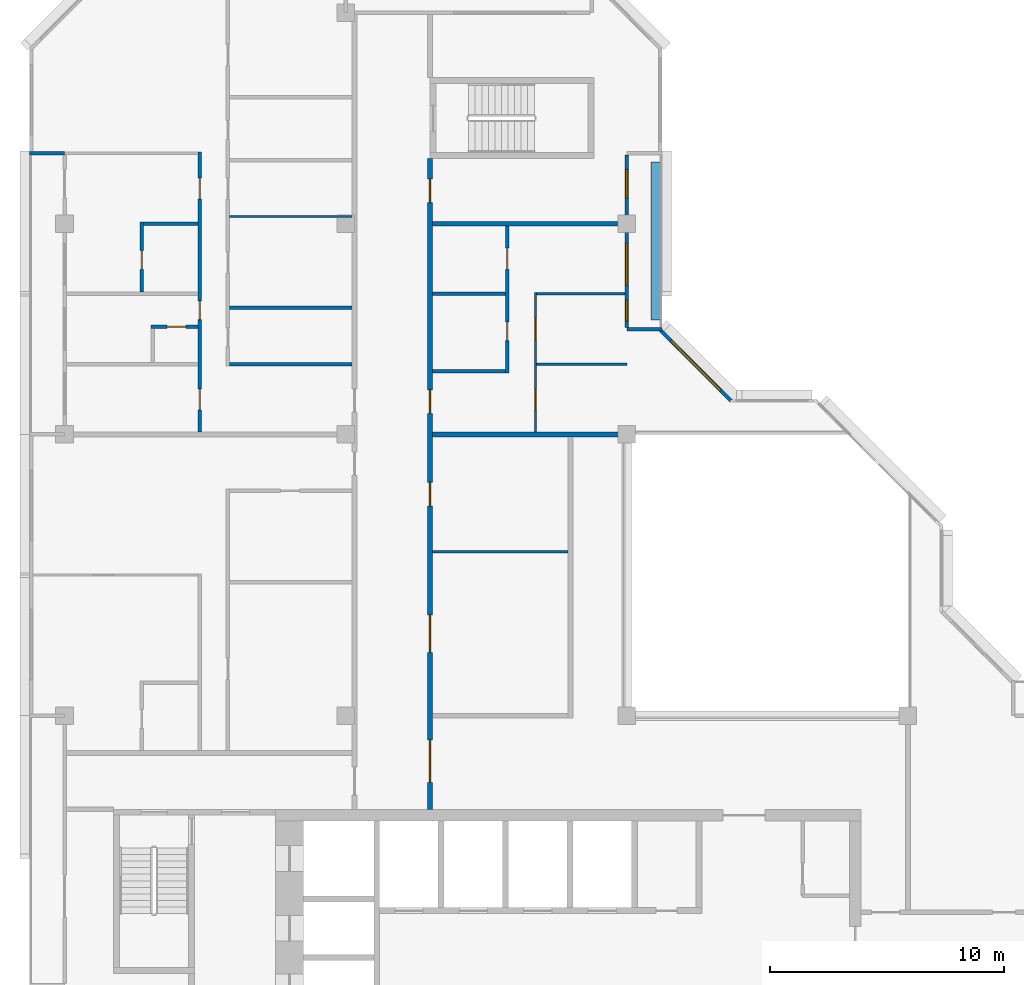
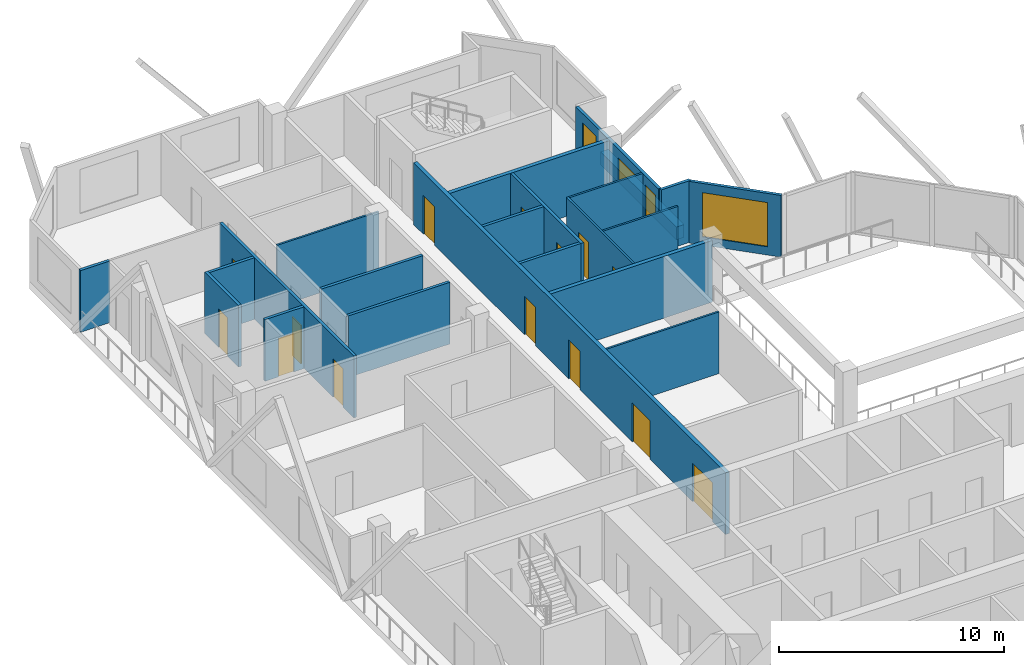
# One storey, part 8 of 12: 22 walls, 14 doors, 4 windows, 18 openings.
"""IFC4 building model written with IfcOpenShell, lengths in metres."""

from ifc_helpers import new_model, si_unit, direction, frame, frame_2d, origin, place, context, subcontext, project, spatial, rectangle, extrude, material, layer, layer_set, type_object, element, fill, save


model = new_model("IFC4")

# Units and contexts
model_context = context("Model", 3, precision=1e-05, world=origin(), true_north=direction((0.0, 1.0)))
body_context = subcontext(model_context, "Body", "Model", "MODEL_VIEW")
ifc_project = project(units=[si_unit("LENGTHUNIT", "METRE"), si_unit("AREAUNIT", "SQUARE_METRE"), si_unit("VOLUMEUNIT", "CUBIC_METRE"), si_unit("PLANEANGLEUNIT", "RADIAN"), si_unit("MASSUNIT", "GRAM", prefix="KILO")], contexts=[model_context])

# Site, building, storey
site_placement = place(None, origin())
site = spatial("IfcSite", under=ifc_project, at=site_placement, CompositionType="ELEMENT")
building_placement = place(site_placement, origin())
building = spatial("IfcBuilding", under=site, at=building_placement, Name="Chenar Terraces", CompositionType="ELEMENT")
storey_placement = place(building_placement, frame((0.0, 0.0, 346.39990234375)))
storey = spatial("IfcBuildingStorey", under=building, at=storey_placement, Name="L80", CompositionType="ELEMENT", Elevation=346.39990234375)

# Wall, openings, doors
ifc_material_1 = material(Name="Gypsum board on steel studs with fire boards", Category="steel")
ifc_layer_1 = layer(ifc_material_1, 0.199951171875)
ifc_layer_set_1 = layer_set([ifc_layer_1], Name="Gypsum board on steel studs with fire boards")
wall_type_1 = type_object("IfcWallType", Name="Corridor wall 200", PredefinedType="PARTITIONING", material=ifc_layer_set_1)
wall_1_placement = place(storey_placement, frame((15.60009765625, 20.0, 0.0), z_axis=(0.0, 0.0, 1.0), x_axis=(0.0, 1.0, 0.0)))
wall_1 = element("IfcWall", 1, at=wall_1_placement, inside=storey, type_object=wall_type_1, Name="Partition L80-031", PredefinedType="PARTITIONING", context=body_context, shape_type="SweptSolid", body=[
    extrude(rectangle(XDim=27.77490234375, YDim=0.199951171875, at=frame_2d((13.887451171875, 0.0))), origin(), (0.0, 0.0, 1.0), 3.35009765625),
])
opening_1_placement = place(wall_1_placement, frame((6.699951171875, 0.0, 0.0)))
opening_1 = element("IfcOpeningElement", 2, at=opening_1_placement, cuts=wall_1, Name="Opening DL80-1", PredefinedType="OPENING", context=body_context, shape_type="SweptSolid", body=[
    extrude(rectangle(XDim=1.60009765625, YDim=2.10009765625, at=frame_2d((0.800048828125, 1.050048828125))), frame((0.0, 0.10986328125, 0.0), z_axis=(0.0, -1.0, 0.0), x_axis=(1.0, 0.0, 0.0)), (0.0, 0.0, 1.0), 0.219970703125),
])
opening_2_placement = place(wall_1_placement, frame((12.949951171875, 0.0, 0.0)))
opening_2 = element("IfcOpeningElement", 3, at=opening_2_placement, cuts=wall_1, Name="Opening DL80-2", PredefinedType="OPENING", context=body_context, shape_type="SweptSolid", body=[
    extrude(rectangle(XDim=1.0, YDim=2.10009765625, at=frame_2d((0.5, 1.050048828125))), frame((0.0, 0.10986328125, 0.0), z_axis=(0.0, -1.0, 0.0), x_axis=(1.0, 0.0, 0.0)), (0.0, 0.0, 1.0), 0.219970703125),
])
opening_3_placement = place(wall_1_placement, frame((16.89990234375, 0.0, 0.0)))
opening_3 = element("IfcOpeningElement", 4, at=opening_3_placement, cuts=wall_1, Name="Opening DL80-8", PredefinedType="OPENING", context=body_context, shape_type="SweptSolid", body=[
    extrude(rectangle(XDim=1.0, YDim=2.10009765625, at=frame_2d((0.5, 1.050048828125))), frame((0.0, 0.10986328125, 0.0), z_axis=(0.0, -1.0, 0.0), x_axis=(1.0, 0.0, 0.0)), (0.0, 0.0, 1.0), 0.219970703125),
])
opening_4_placement = place(wall_1_placement, frame((1.14990234375, 0.0, 0.0)))
opening_4 = element("IfcOpeningElement", 5, at=opening_4_placement, cuts=wall_1, Name="Opening DL80-21", PredefinedType="OPENING", context=body_context, shape_type="SweptSolid", body=[
    extrude(rectangle(XDim=1.800048828125, YDim=2.10009765625, at=frame_2d((0.89990234375, 1.050048828125))), frame((0.0, 0.10986328125, 0.0), z_axis=(0.0, -1.0, 0.0), x_axis=(1.0, 0.0, 0.0)), (0.0, 0.0, 1.0), 0.219970703125),
])
opening_5_placement = place(wall_1_placement, frame((25.89990234375, 0.0, 0.0)))
opening_5 = element("IfcOpeningElement", 6, at=opening_5_placement, cuts=wall_1, Name="Opening DL80-24", PredefinedType="OPENING", context=body_context, shape_type="SweptSolid", body=[
    extrude(rectangle(XDim=1.0, YDim=2.10009765625, at=frame_2d((0.5, 1.050048828125))), frame((0.0, 0.10986328125, 0.0), z_axis=(0.0, -1.0, 0.0), x_axis=(1.0, 0.0, 0.0)), (0.0, 0.0, 1.0), 0.219970703125),
])
ifc_material_2 = material(Name="Steel-framed fire-resisting door leaf", Category="steel")
door_type_1 = type_object("IfcDoorType", Name="Fire door FD60 1000 x 2100", OperationType="SINGLE_SWING_LEFT", PredefinedType="DOOR", material=ifc_material_2)
door_1_placement = place(opening_2_placement, frame((1.0, 0.0, 0.0), z_axis=(0.0, 0.0, 1.0), x_axis=(-1.0, 0.0, 0.0)))
door_1 = element("IfcDoor", 7, at=door_1_placement, inside=storey, type_object=door_type_1, Name="Door DL80-2", OperationType="SINGLE_SWING_LEFT", OverallHeight=2.10009765625, OverallWidth=1.0, PredefinedType="DOOR", context=body_context, shape_type="SweptSolid", body=[
    extrude(rectangle(XDim=1.0, YDim=2.10009765625, at=frame_2d((0.5, 1.050048828125))), frame((0.0, 0.02490234375, 0.0), z_axis=(0.0, -1.0, 0.0), x_axis=(1.0, 0.0, 0.0)), (0.0, 0.0, 1.0), 0.050048828125),
])
fill(opening_2, door_1)
door_2_placement = place(opening_3_placement, frame((1.0, 0.0, 0.0), z_axis=(0.0, 0.0, 1.0), x_axis=(-1.0, 0.0, 0.0)))
door_2 = element("IfcDoor", 8, at=door_2_placement, inside=storey, type_object=door_type_1, Name="Door DL80-8", OperationType="SINGLE_SWING_LEFT", OverallHeight=2.10009765625, OverallWidth=1.0, PredefinedType="DOOR", context=body_context, shape_type="SweptSolid", body=[
    extrude(rectangle(XDim=1.0, YDim=2.10009765625, at=frame_2d((0.5, 1.050048828125))), frame((0.0, 0.02490234375, 0.0), z_axis=(0.0, -1.0, 0.0), x_axis=(1.0, 0.0, 0.0)), (0.0, 0.0, 1.0), 0.050048828125),
])
fill(opening_3, door_2)
door_3_placement = place(opening_5_placement, frame((1.0, 0.0, 0.0), z_axis=(0.0, 0.0, 1.0), x_axis=(-1.0, 0.0, 0.0)))
door_3 = element("IfcDoor", 9, at=door_3_placement, inside=storey, type_object=door_type_1, Name="Door DL80-24", OperationType="SINGLE_SWING_RIGHT", OverallHeight=2.10009765625, OverallWidth=1.0, PredefinedType="DOOR", context=body_context, shape_type="SweptSolid", body=[
    extrude(rectangle(XDim=1.0, YDim=2.10009765625, at=frame_2d((0.5, 1.050048828125))), frame((0.0, 0.02490234375, 0.0), z_axis=(0.0, -1.0, 0.0), x_axis=(1.0, 0.0, 0.0)), (0.0, 0.0, 1.0), 0.050048828125),
])
fill(opening_5, door_3)
ifc_material_3 = material(Name="Steel-framed fire-resisting door leaf", Category="steel")
door_type_2 = type_object("IfcDoorType", Name="Fire double door FD60 1600 x 2100", OperationType="DOUBLE_DOOR_SINGLE_SWING", PredefinedType="DOOR", material=ifc_material_3)
door_4_placement = place(opening_1_placement, frame((1.60009765625, 0.0, 0.0), z_axis=(0.0, 0.0, 1.0), x_axis=(-1.0, 0.0, 0.0)))
door_4 = element("IfcDoor", 10, at=door_4_placement, inside=storey, type_object=door_type_2, Name="Door DL80-1", OperationType="DOUBLE_DOOR_SINGLE_SWING", OverallHeight=2.10009765625, OverallWidth=1.60009765625, PredefinedType="DOOR", context=body_context, shape_type="SweptSolid", body=[
    extrude(rectangle(XDim=1.60009765625, YDim=2.10009765625, at=frame_2d((0.800048828125, 1.050048828125))), frame((0.0, 0.02490234375, 0.0), z_axis=(0.0, -1.0, 0.0), x_axis=(1.0, 0.0, 0.0)), (0.0, 0.0, 1.0), 0.050048828125),
])
fill(opening_1, door_4)
ifc_material_4 = material(Name="Steel-framed fire-resisting door leaf", Category="steel")
door_type_3 = type_object("IfcDoorType", Name="Fire double door FD60 1800 x 2100", OperationType="DOUBLE_DOOR_SINGLE_SWING", PredefinedType="DOOR", material=ifc_material_4)
door_5_placement = place(opening_4_placement, frame((1.800048828125, 0.0, 0.0), z_axis=(0.0, 0.0, 1.0), x_axis=(-1.0, 0.0, 0.0)))
door_5 = element("IfcDoor", 11, at=door_5_placement, inside=storey, type_object=door_type_3, Name="Door DL80-21", OperationType="DOUBLE_DOOR_SINGLE_SWING", OverallHeight=2.10009765625, OverallWidth=1.800048828125, PredefinedType="DOOR", context=body_context, shape_type="SweptSolid", body=[
    extrude(rectangle(XDim=1.800048828125, YDim=2.10009765625, at=frame_2d((0.89990234375, 1.050048828125))), frame((0.0, 0.02490234375, 0.0), z_axis=(0.0, -1.0, 0.0), x_axis=(1.0, 0.0, 0.0)), (0.0, 0.0, 1.0), 0.050048828125),
])
fill(opening_4, door_5)

# Wall, openings, windows
ifc_material_5 = material(Name="Aluminium framed glazing", Category="aluminium")
ifc_layer_2 = layer(ifc_material_5, 0.14990234375)
ifc_layer_set_2 = layer_set([ifc_layer_2], Name="Aluminium framed glazing")
wall_type_2 = type_object("IfcWallType", Name="Glazed loggia back wall 150", PredefinedType="SOLIDWALL", material=ifc_layer_set_2)
wall_2_placement = place(storey_placement, frame((24.0, 40.574951171875, 0.0), z_axis=(0.0, 0.0, 1.0), x_axis=(0.0, 1.0, 0.0)))
wall_2 = element("IfcWall", 12, at=wall_2_placement, inside=storey, type_object=wall_type_2, Name="Glazed loggia back wall", PredefinedType="SOLIDWALL", context=body_context, shape_type="SweptSolid", body=[
    extrude(rectangle(XDim=7.35009765625, YDim=0.14990234375, at=frame_2d((3.675048828125, 0.0))), origin(), (0.0, 0.0, 1.0), 3.35009765625),
])
opening_6_placement = place(wall_2_placement, frame((0.262451171875, 0.0, 0.449951171875)))
opening_6 = element("IfcOpeningElement", 13, at=opening_6_placement, cuts=wall_2, Name="Opening W90x240", PredefinedType="OPENING", context=body_context, shape_type="SweptSolid", body=[
    extrude(rectangle(XDim=0.89990234375, YDim=2.39990234375, at=frame_2d((0.449951171875, 1.199951171875))), frame((0.0, 0.0849609375, 0.0), z_axis=(0.0, -1.0, 0.0), x_axis=(1.0, 0.0, 0.0)), (0.0, 0.0, 1.0), 0.169921875),
])
opening_7_placement = place(wall_2_placement, frame((1.78759765625, 0.0, 0.449951171875)))
opening_7 = element("IfcOpeningElement", 14, at=opening_7_placement, cuts=wall_2, Name="Opening W180x240", PredefinedType="OPENING", context=body_context, shape_type="SweptSolid", body=[
    extrude(rectangle(XDim=1.800048828125, YDim=2.39990234375, at=frame_2d((0.89990234375, 1.199951171875))), frame((0.0, 0.0849609375, 0.0), z_axis=(0.0, -1.0, 0.0), x_axis=(1.0, 0.0, 0.0)), (0.0, 0.0, 1.0), 0.169921875),
])
opening_8_placement = place(wall_2_placement, frame((5.52490234375, 0.0, 0.449951171875)))
opening_8 = element("IfcOpeningElement", 15, at=opening_8_placement, cuts=wall_2, Name="Opening W120x240", PredefinedType="OPENING", context=body_context, shape_type="SweptSolid", body=[
    extrude(rectangle(XDim=1.199951171875, YDim=2.39990234375, at=frame_2d((0.60009765625, 1.199951171875))), frame((0.0, 0.0849609375, 0.0), z_axis=(0.0, -1.0, 0.0), x_axis=(1.0, 0.0, 0.0)), (0.0, 0.0, 1.0), 0.169921875),
])
ifc_material_6 = material(Name="Low emissivity double glazing, aluminium frame", Category="aluminium")
window_type_1 = type_object("IfcWindowType", Name="Fixed light 1200 x 2400", PartitioningType="SINGLE_PANEL", PredefinedType="WINDOW", material=ifc_material_6)
window_1_placement = place(opening_8_placement, origin())
window_1 = element("IfcWindow", 16, at=window_1_placement, inside=storey, type_object=window_type_1, Name="Window", OverallHeight=2.39990234375, OverallWidth=1.199951171875, PartitioningType="SINGLE_PANEL", PredefinedType="WINDOW", context=body_context, shape_type="SweptSolid", body=[
    extrude(rectangle(XDim=1.199951171875, YDim=2.39990234375, at=frame_2d((0.60009765625, 1.199951171875))), frame((0.0, 0.030029296875, 0.0), z_axis=(0.0, -1.0, 0.0), x_axis=(1.0, 0.0, 0.0)), (0.0, 0.0, 1.0), 0.06005859375),
])
fill(opening_8, window_1)
ifc_material_7 = material(Name="Low emissivity double glazing, aluminium frame", Category="aluminium")
window_type_2 = type_object("IfcWindowType", Name="Fixed light 1800 x 2400", PartitioningType="SINGLE_PANEL", PredefinedType="WINDOW", material=ifc_material_7)
window_2_placement = place(opening_7_placement, origin())
window_2 = element("IfcWindow", 17, at=window_2_placement, inside=storey, type_object=window_type_2, Name="Window", OverallHeight=2.39990234375, OverallWidth=1.800048828125, PartitioningType="SINGLE_PANEL", PredefinedType="WINDOW", context=body_context, shape_type="SweptSolid", body=[
    extrude(rectangle(XDim=1.800048828125, YDim=2.39990234375, at=frame_2d((0.89990234375, 1.199951171875))), frame((0.0, 0.030029296875, 0.0), z_axis=(0.0, -1.0, 0.0), x_axis=(1.0, 0.0, 0.0)), (0.0, 0.0, 1.0), 0.06005859375),
])
fill(opening_7, window_2)
ifc_material_8 = material(Name="Low emissivity double glazing, aluminium frame", Category="aluminium")
window_type_3 = type_object("IfcWindowType", Name="Fixed light 900 x 2400", PartitioningType="SINGLE_PANEL", PredefinedType="WINDOW", material=ifc_material_8)
window_3_placement = place(opening_6_placement, origin())
window_3 = element("IfcWindow", 18, at=window_3_placement, inside=storey, type_object=window_type_3, Name="Window", OverallHeight=2.39990234375, OverallWidth=0.89990234375, PartitioningType="SINGLE_PANEL", PredefinedType="WINDOW", context=body_context, shape_type="SweptSolid", body=[
    extrude(rectangle(XDim=0.89990234375, YDim=2.39990234375, at=frame_2d((0.449951171875, 1.199951171875))), frame((0.0, 0.030029296875, 0.0), z_axis=(0.0, -1.0, 0.0), x_axis=(1.0, 0.0, 0.0)), (0.0, 0.0, 1.0), 0.06005859375),
])
fill(opening_6, window_3)

# Walls
ifc_material_9 = material(Name="Gypsum board on steel studs", Category="steel")
ifc_layer_3 = layer(ifc_material_9, 0.10009765625)
ifc_layer_set_3 = layer_set([ifc_layer_3], Name="Gypsum board on steel studs")
wall_type_3 = type_object("IfcWallType", Name="Gypsum partition 100", PredefinedType="PARTITIONING", material=ifc_layer_set_3)
wall_3_placement = place(storey_placement, frame((7.050048828125, 45.300048828125, 0.0), z_axis=(0.0, 0.0, 1.0), x_axis=(1.0, 0.0, 0.0)))
element("IfcWall", 19, at=wall_3_placement, inside=storey, type_object=wall_type_3, Name="Partition L80-023", PredefinedType="PARTITIONING", context=body_context, shape_type="SweptSolid", body=[
    extrude(rectangle(XDim=5.224853515625, YDim=0.10009765625, at=frame_2d((2.6123046875, 0.0))), origin(), (0.0, 0.0, 1.0), 3.35009765625),
])
wall_4_placement = place(storey_placement, frame((15.699951171875, 31.0, 0.0), z_axis=(0.0, 0.0, 1.0), x_axis=(1.0, 0.0, 0.0)))
element("IfcWall", 20, at=wall_4_placement, inside=storey, type_object=wall_type_3, Name="Partition L80-034", PredefinedType="PARTITIONING", context=body_context, shape_type="SweptSolid", body=[
    extrude(rectangle(XDim=5.800048828125, YDim=0.10009765625, at=frame_2d((2.89990234375, 0.0))), origin(), (0.0, 0.0, 1.0), 3.35009765625),
])

# Wall, openings, doors
wall_5_placement = place(storey_placement, frame((20.10009765625, 36.10009765625, 0.0), z_axis=(0.0, 0.0, 1.0), x_axis=(0.0, 1.0, 0.0)))
wall_5 = element("IfcWall", 21, at=wall_5_placement, inside=storey, type_object=wall_type_3, Name="Partition L80-040", PredefinedType="PARTITIONING", context=body_context, shape_type="SweptSolid", body=[
    extrude(rectangle(XDim=5.949951171875, YDim=0.10009765625, at=frame_2d((2.97509765625, 0.0))), origin(), (0.0, 0.0, 1.0), 3.35009765625),
])
opening_9_placement = place(wall_5_placement, frame((0.949951171875, 0.0, 0.0)))
opening_9 = element("IfcOpeningElement", 22, at=opening_9_placement, cuts=wall_5, Name="Opening DL80-5", PredefinedType="OPENING", context=body_context, shape_type="SweptSolid", body=[
    extrude(rectangle(XDim=0.89990234375, YDim=2.10009765625, at=frame_2d((0.449951171875, 1.050048828125))), frame((0.0, 0.06005859375, 0.0), z_axis=(0.0, -1.0, 0.0), x_axis=(1.0, 0.0, 0.0)), (0.0, 0.0, 1.0), 0.1201171875),
])
opening_10_placement = place(wall_5_placement, frame((3.949951171875, 0.0, 0.0)))
opening_10 = element("IfcOpeningElement", 23, at=opening_10_placement, cuts=wall_5, Name="Opening DL80-6", PredefinedType="OPENING", context=body_context, shape_type="SweptSolid", body=[
    extrude(rectangle(XDim=0.89990234375, YDim=2.10009765625, at=frame_2d((0.449951171875, 1.050048828125))), frame((0.0, 0.06005859375, 0.0), z_axis=(0.0, -1.0, 0.0), x_axis=(1.0, 0.0, 0.0)), (0.0, 0.0, 1.0), 0.1201171875),
])
ifc_material_10 = material(Name="Veneered timber door leaf", Category="wood")
door_type_4 = type_object("IfcDoorType", Name="Door 900 x 2100", OperationType="SINGLE_SWING_LEFT", PredefinedType="DOOR", material=ifc_material_10)
door_6_placement = place(opening_9_placement, frame((0.89990234375, 0.0, 0.0), z_axis=(0.0, 0.0, 1.0), x_axis=(-1.0, 0.0, 0.0)))
door_6 = element("IfcDoor", 24, at=door_6_placement, inside=storey, type_object=door_type_4, Name="Door DL80-5", OperationType="SINGLE_SWING_LEFT", OverallHeight=2.10009765625, OverallWidth=0.89990234375, PredefinedType="DOOR", context=body_context, shape_type="SweptSolid", body=[
    extrude(rectangle(XDim=0.89990234375, YDim=2.10009765625, at=frame_2d((0.449951171875, 1.050048828125))), frame((0.0, 0.02490234375, 0.0), z_axis=(0.0, -1.0, 0.0), x_axis=(1.0, 0.0, 0.0)), (0.0, 0.0, 1.0), 0.050048828125),
])
fill(opening_9, door_6)
door_7_placement = place(opening_10_placement, frame((0.89990234375, 0.0, 0.0), z_axis=(0.0, 0.0, 1.0), x_axis=(-1.0, 0.0, 0.0)))
door_7 = element("IfcDoor", 25, at=door_7_placement, inside=storey, type_object=door_type_4, Name="Door DL80-6", OperationType="SINGLE_SWING_LEFT", OverallHeight=2.10009765625, OverallWidth=0.89990234375, PredefinedType="DOOR", context=body_context, shape_type="SweptSolid", body=[
    extrude(rectangle(XDim=0.89990234375, YDim=2.10009765625, at=frame_2d((0.449951171875, 1.050048828125))), frame((0.0, 0.02490234375, 0.0), z_axis=(0.0, -1.0, 0.0), x_axis=(1.0, 0.0, 0.0)), (0.0, 0.0, 1.0), 0.050048828125),
])
fill(opening_10, door_7)

# Walls
wall_6_placement = place(storey_placement, frame((20.14990234375, 39.0, 0.0), z_axis=(0.0, 0.0, 1.0), x_axis=(1.0, 0.0, 0.0)))
element("IfcWall", 26, at=wall_6_placement, inside=storey, type_object=wall_type_3, Name="Partition L80-041", PredefinedType="PARTITIONING", context=body_context, shape_type="SweptSolid", body=[
    extrude(rectangle(XDim=3.85009765625, YDim=0.10009765625, at=frame_2d((1.925048828125, 0.0))), origin(), (0.0, 0.0, 1.0), 3.35009765625),
])
wall_7_placement = place(storey_placement, frame((20.14990234375, 42.0, 0.0), z_axis=(0.0, 0.0, 1.0), x_axis=(1.0, 0.0, 0.0)))
element("IfcWall", 27, at=wall_7_placement, inside=storey, type_object=wall_type_3, Name="Partition L80-042", PredefinedType="PARTITIONING", context=body_context, shape_type="SweptSolid", body=[
    extrude(rectangle(XDim=3.776123046875, YDim=0.10009765625, at=frame_2d((1.88818359375, 0.0))), origin(), (0.0, 0.0, 1.0), 3.35009765625),
])
ifc_material_11 = material(Name="Terracotta cladding on insulated backing", Category="masonry")
ifc_layer_4 = layer(ifc_material_11, 0.14990234375)
ifc_layer_set_4 = layer_set([ifc_layer_4], Name="Terracotta cladding on insulated backing")
wall_type_4 = type_object("IfcWallType", Name="Loggia return wall 150", PredefinedType="SOLIDWALL", material=ifc_layer_set_4)
for number, where, z_axis, x_axis, name in (
    (28, (25.5, 40.5, 0.0), (0.0, 0.0, 1.0), (-1.0, 0.0, 0.0), "Loggia return wall"),
    (29, (-1.5, 48.0, 0.0), (0.0, 0.0, 1.0), (1.0, 0.0, 0.0), "Loggia return wall"),
):
    element("IfcWall", number, at=place(storey_placement, frame(where, z_axis=z_axis, x_axis=x_axis)), inside=storey, type_object=wall_type_4, Name=name, PredefinedType="SOLIDWALL", context=body_context, shape_type="SweptSolid", body=[
        extrude(rectangle(XDim=1.5, YDim=0.14990234375, at=frame_2d((0.75, 0.0))), origin(), (0.0, 0.0, 1.0), 3.35009765625),
    ])

# Wall, opening, window
ifc_material_12 = material(Name="Terracotta cladding on insulated backing", Category="masonry")
ifc_layer_5 = layer(ifc_material_12, 0.14990234375)
ifc_layer_set_5 = layer_set([ifc_layer_5], Name="Terracotta cladding on insulated backing")
wall_type_5 = type_object("IfcWallType", Name="Terracotta rainscreen wall 150", PredefinedType="SOLIDWALL", material=ifc_layer_set_5)
wall_8_placement = place(storey_placement, frame((28.447021484375, 37.447021484375, 0.0), z_axis=(0.0, 0.0, 1.0), x_axis=(-0.707106781187, 0.707106781187, 0.0)))
wall_8 = element("IfcWall", 30, at=wall_8_placement, inside=storey, type_object=wall_type_5, Name="Terracotta rainscreen wall", PredefinedType="SOLIDWALL", context=body_context, shape_type="SweptSolid", body=[
    extrude(rectangle(XDim=4.24267578125, YDim=0.14990234375, at=frame_2d((2.121337890625, 0.0))), origin(), (0.0, 0.0, 1.0), 3.35009765625),
])
opening_11_placement = place(wall_8_placement, frame((0.621337890625, 0.0, 0.449951171875)))
opening_11 = element("IfcOpeningElement", 31, at=opening_11_placement, cuts=wall_8, Name="Opening W300x240", PredefinedType="OPENING", context=body_context, shape_type="SweptSolid", body=[
    extrude(rectangle(XDim=3.0, YDim=2.39990234375, at=frame_2d((1.5, 1.199951171875))), frame((0.0, 0.0849609375, 0.0), z_axis=(0.0, -1.0, 0.0), x_axis=(1.0, 0.0, 0.0)), (0.0, 0.0, 1.0), 0.169921875),
])
ifc_material_13 = material(Name="Low emissivity double glazing, aluminium frame", Category="aluminium")
window_type_4 = type_object("IfcWindowType", Name="Fixed light 3000 x 2400", PartitioningType="SINGLE_PANEL", PredefinedType="WINDOW", material=ifc_material_13)
window_4_placement = place(opening_11_placement, origin())
window_4 = element("IfcWindow", 32, at=window_4_placement, inside=storey, type_object=window_type_4, Name="Window", OverallHeight=2.39990234375, OverallWidth=3.0, PartitioningType="SINGLE_PANEL", PredefinedType="WINDOW", context=body_context, shape_type="SweptSolid", body=[
    extrude(rectangle(XDim=3.0, YDim=2.39990234375, at=frame_2d((1.5, 1.199951171875))), frame((0.0, 0.030029296875, 0.0), z_axis=(0.0, -1.0, 0.0), x_axis=(1.0, 0.0, 0.0)), (0.0, 0.0, 1.0), 0.06005859375),
])
fill(opening_11, window_4)

# Walls
ifc_material_14 = material(Name="Twin gypsum board on steel studs with mineral wool", Category="steel")
ifc_layer_6 = layer(ifc_material_14, 0.199951171875)
ifc_layer_set_6 = layer_set([ifc_layer_6], Name="Twin gypsum board on steel studs with mineral wool")
wall_type_6 = type_object("IfcWallType", Name="Unit demising wall 200", PredefinedType="PARTITIONING", material=ifc_layer_set_6)
wall_9_placement = place(storey_placement, frame((15.699951171875, 36.0, 0.0), z_axis=(0.0, 0.0, 1.0), x_axis=(1.0, 0.0, 0.0)))
element("IfcWall", 33, at=wall_9_placement, inside=storey, type_object=wall_type_6, Name="Partition L80-035", PredefinedType="PARTITIONING", context=body_context, shape_type="SweptSolid", body=[
    extrude(rectangle(XDim=8.300048828125, YDim=0.199951171875, at=frame_2d((4.14990234375, 0.0))), origin(), (0.0, 0.0, 1.0), 3.35009765625),
])
wall_10_placement = place(storey_placement, frame((15.699951171875, 45.0, 0.0), z_axis=(0.0, 0.0, 1.0), x_axis=(1.0, 0.0, 0.0)))
element("IfcWall", 34, at=wall_10_placement, inside=storey, type_object=wall_type_6, Name="Partition L80-038", PredefinedType="PARTITIONING", context=body_context, shape_type="SweptSolid", body=[
    extrude(rectangle(XDim=8.22607421875, YDim=0.199951171875, at=frame_2d((4.113037109375, 0.0))), origin(), (0.0, 0.0, 1.0), 3.35009765625),
])
ifc_material_15 = material(Name="GRP planter trough")
ifc_layer_7 = layer(ifc_material_15, 0.39990234375)
ifc_layer_set_7 = layer_set([ifc_layer_7], Name="GRP planter trough")
wall_type_7 = type_object("IfcWallType", Name="Vertical greenery planter 400", PredefinedType="SOLIDWALL", material=ifc_layer_set_7)
wall_11_placement = place(storey_placement, frame((25.22900390625, 40.875, 0.0), z_axis=(0.0, 0.0, 1.0), x_axis=(0.0, 1.0, 0.0)))
element("IfcWall", 35, at=wall_11_placement, inside=storey, type_object=wall_type_7, Name="Vertical greenery planter", PredefinedType="SOLIDWALL", context=body_context, shape_type="SweptSolid", body=[
    extrude(rectangle(XDim=6.75, YDim=0.39990234375, at=frame_2d((3.375, 0.0))), origin(), (0.0, 0.0, 1.0), 0.7001953125),
])

# Wall, opening, door
ifc_material_16 = material(Name="Moisture-resistant gypsum board on steel studs", Category="steel")
ifc_layer_8 = layer(ifc_material_16, 0.14990234375)
ifc_layer_set_8 = layer_set([ifc_layer_8], Name="Moisture-resistant gypsum board on steel studs")
wall_type_8 = type_object("IfcWallType", Name="Wet-room partition 150", PredefinedType="PARTITIONING", material=ifc_layer_set_8)
wall_12_placement = place(storey_placement, frame((3.300048828125, 42.074951171875, 0.0), z_axis=(0.0, 0.0, 1.0), x_axis=(0.0, 1.0, 0.0)))
wall_12 = element("IfcWall", 36, at=wall_12_placement, inside=storey, type_object=wall_type_8, Name="Partition L80-010", PredefinedType="PARTITIONING", context=body_context, shape_type="SweptSolid", body=[
    extrude(rectangle(XDim=3.0, YDim=0.14990234375, at=frame_2d((1.5, 0.0))), origin(), (0.0, 0.0, 1.0), 3.35009765625),
])
opening_12_placement = place(wall_12_placement, frame((0.97509765625, 0.0, 0.0)))
opening_12 = element("IfcOpeningElement", 37, at=opening_12_placement, cuts=wall_12, Name="Opening DL80-12", PredefinedType="OPENING", context=body_context, shape_type="SweptSolid", body=[
    extrude(rectangle(XDim=0.800048828125, YDim=2.10009765625, at=frame_2d((0.39990234375, 1.050048828125))), frame((0.0, 0.0849609375, 0.0), z_axis=(0.0, -1.0, 0.0), x_axis=(1.0, 0.0, 0.0)), (0.0, 0.0, 1.0), 0.169921875),
])
ifc_material_17 = material(Name="Veneered timber door leaf", Category="wood")
door_type_5 = type_object("IfcDoorType", Name="Door 800 x 2100", OperationType="SINGLE_SWING_LEFT", PredefinedType="DOOR", material=ifc_material_17)
door_8_placement = place(opening_12_placement, frame((0.800048828125, 0.0, 0.0), z_axis=(0.0, 0.0, 1.0), x_axis=(-1.0, 0.0, 0.0)))
door_8 = element("IfcDoor", 38, at=door_8_placement, inside=storey, type_object=door_type_5, Name="Door DL80-12", OperationType="SINGLE_SWING_RIGHT", OverallHeight=2.10009765625, OverallWidth=0.800048828125, PredefinedType="DOOR", context=body_context, shape_type="SweptSolid", body=[
    extrude(rectangle(XDim=0.800048828125, YDim=2.10009765625, at=frame_2d((0.39990234375, 1.050048828125))), frame((0.0, 0.02490234375, 0.0), z_axis=(0.0, -1.0, 0.0), x_axis=(1.0, 0.0, 0.0)), (0.0, 0.0, 1.0), 0.050048828125),
])
fill(opening_12, door_8)

# Wall
wall_13_placement = place(storey_placement, frame((3.375, 45.0, 0.0), z_axis=(0.0, 0.0, 1.0), x_axis=(1.0, 0.0, 0.0)))
element("IfcWall", 39, at=wall_13_placement, inside=storey, type_object=wall_type_8, Name="Partition L80-012", PredefinedType="PARTITIONING", context=body_context, shape_type="SweptSolid", body=[
    extrude(rectangle(XDim=2.324951171875, YDim=0.14990234375, at=frame_2d((1.16259765625, 0.0))), origin(), (0.0, 0.0, 1.0), 3.35009765625),
])

# Wall, opening, door
wall_14_placement = place(storey_placement, frame((3.699951171875, 40.60009765625, 0.0), z_axis=(0.0, 0.0, 1.0), x_axis=(1.0, 0.0, 0.0)))
wall_14 = element("IfcWall", 40, at=wall_14_placement, inside=storey, type_object=wall_type_8, Name="Partition L80-013", PredefinedType="PARTITIONING", context=body_context, shape_type="SweptSolid", body=[
    extrude(rectangle(XDim=2.0, YDim=0.14990234375, at=frame_2d((1.0, 0.0))), origin(), (0.0, 0.0, 1.0), 3.35009765625),
])
opening_13_placement = place(wall_14_placement, frame((0.675048828125, 0.0, 0.0)))
opening_13 = element("IfcOpeningElement", 41, at=opening_13_placement, cuts=wall_14, Name="Opening DL80-16", PredefinedType="OPENING", context=body_context, shape_type="SweptSolid", body=[
    extrude(rectangle(XDim=0.800048828125, YDim=2.10009765625, at=frame_2d((0.39990234375, 1.050048828125))), frame((0.0, 0.0849609375, 0.0), z_axis=(0.0, -1.0, 0.0), x_axis=(1.0, 0.0, 0.0)), (0.0, 0.0, 1.0), 0.169921875),
])
door_9_placement = place(opening_13_placement, frame((0.800048828125, 0.0, 0.0), z_axis=(0.0, 0.0, 1.0), x_axis=(-1.0, 0.0, 0.0)))
door_9 = element("IfcDoor", 42, at=door_9_placement, inside=storey, type_object=door_type_5, Name="Door DL80-16", OperationType="SINGLE_SWING_RIGHT", OverallHeight=2.10009765625, OverallWidth=0.800048828125, PredefinedType="DOOR", context=body_context, shape_type="SweptSolid", body=[
    extrude(rectangle(XDim=0.800048828125, YDim=2.10009765625, at=frame_2d((0.39990234375, 1.050048828125))), frame((0.0, 0.02490234375, 0.0), z_axis=(0.0, -1.0, 0.0), x_axis=(1.0, 0.0, 0.0)), (0.0, 0.0, 1.0), 0.050048828125),
])
fill(opening_13, door_9)

# Wall, openings, doors
wall_15_placement = place(storey_placement, frame((5.77490234375, 36.10009765625, 0.0), z_axis=(0.0, 0.0, 1.0), x_axis=(0.0, 1.0, 0.0)))
wall_15 = element("IfcWall", 43, at=wall_15_placement, inside=storey, type_object=wall_type_8, Name="Partition L80-016", PredefinedType="PARTITIONING", context=body_context, shape_type="SweptSolid", body=[
    extrude(rectangle(XDim=11.949951171875, YDim=0.14990234375, at=frame_2d((5.97509765625, 0.0))), origin(), (0.0, 0.0, 1.0), 3.35009765625),
])
opening_14_placement = place(wall_15_placement, frame((0.949951171875, 0.0, 0.0)))
opening_14 = element("IfcOpeningElement", 44, at=opening_14_placement, cuts=wall_15, Name="Opening DL80-10", PredefinedType="OPENING", context=body_context, shape_type="SweptSolid", body=[
    extrude(rectangle(XDim=0.89990234375, YDim=2.10009765625, at=frame_2d((0.449951171875, 1.050048828125))), frame((0.0, 0.0849609375, 0.0), z_axis=(0.0, -1.0, 0.0), x_axis=(1.0, 0.0, 0.0)), (0.0, 0.0, 1.0), 0.169921875),
])
opening_15_placement = place(wall_15_placement, frame((9.949951171875, 0.0, 0.0)))
opening_15 = element("IfcOpeningElement", 45, at=opening_15_placement, cuts=wall_15, Name="Opening DL80-11", PredefinedType="OPENING", context=body_context, shape_type="SweptSolid", body=[
    extrude(rectangle(XDim=0.89990234375, YDim=2.10009765625, at=frame_2d((0.449951171875, 1.050048828125))), frame((0.0, 0.0849609375, 0.0), z_axis=(0.0, -1.0, 0.0), x_axis=(1.0, 0.0, 0.0)), (0.0, 0.0, 1.0), 0.169921875),
])
opening_16_placement = place(wall_15_placement, frame((4.800048828125, 0.0, 0.0)))
opening_16 = element("IfcOpeningElement", 46, at=opening_16_placement, cuts=wall_15, Name="Opening DL80-15", PredefinedType="OPENING", context=body_context, shape_type="SweptSolid", body=[
    extrude(rectangle(XDim=0.800048828125, YDim=2.10009765625, at=frame_2d((0.39990234375, 1.050048828125))), frame((0.0, 0.0849609375, 0.0), z_axis=(0.0, -1.0, 0.0), x_axis=(1.0, 0.0, 0.0)), (0.0, 0.0, 1.0), 0.169921875),
])
door_10_placement = place(opening_16_placement, origin())
door_10 = element("IfcDoor", 47, at=door_10_placement, inside=storey, type_object=door_type_5, Name="Door DL80-15", OperationType="SINGLE_SWING_RIGHT", OverallHeight=2.10009765625, OverallWidth=0.800048828125, PredefinedType="DOOR", context=body_context, shape_type="SweptSolid", body=[
    extrude(rectangle(XDim=0.800048828125, YDim=2.10009765625, at=frame_2d((0.39990234375, 1.050048828125))), frame((0.0, 0.02490234375, 0.0), z_axis=(0.0, -1.0, 0.0), x_axis=(1.0, 0.0, 0.0)), (0.0, 0.0, 1.0), 0.050048828125),
])
fill(opening_16, door_10)
door_11_placement = place(opening_14_placement, origin())
door_11 = element("IfcDoor", 48, at=door_11_placement, inside=storey, type_object=door_type_4, Name="Door DL80-10", OperationType="SINGLE_SWING_RIGHT", OverallHeight=2.10009765625, OverallWidth=0.89990234375, PredefinedType="DOOR", context=body_context, shape_type="SweptSolid", body=[
    extrude(rectangle(XDim=0.89990234375, YDim=2.10009765625, at=frame_2d((0.449951171875, 1.050048828125))), frame((0.0, 0.02490234375, 0.0), z_axis=(0.0, -1.0, 0.0), x_axis=(1.0, 0.0, 0.0)), (0.0, 0.0, 1.0), 0.050048828125),
])
fill(opening_14, door_11)
door_12_placement = place(opening_15_placement, origin())
door_12 = element("IfcDoor", 49, at=door_12_placement, inside=storey, type_object=door_type_4, Name="Door DL80-11", OperationType="SINGLE_SWING_RIGHT", OverallHeight=2.10009765625, OverallWidth=0.89990234375, PredefinedType="DOOR", context=body_context, shape_type="SweptSolid", body=[
    extrude(rectangle(XDim=0.89990234375, YDim=2.10009765625, at=frame_2d((0.449951171875, 1.050048828125))), frame((0.0, 0.02490234375, 0.0), z_axis=(0.0, -1.0, 0.0), x_axis=(1.0, 0.0, 0.0)), (0.0, 0.0, 1.0), 0.050048828125),
])
fill(opening_15, door_12)

# Walls
for number, where, z_axis, x_axis, name in (
    (50, (7.050048828125, 39.0, 0.0), (0.0, 0.0, 1.0), (1.0, 0.0, 0.0), "Partition L80-021"),
    (51, (7.050048828125, 41.39990234375, 0.0), (0.0, 0.0, 1.0), (1.0, 0.0, 0.0), "Partition L80-022"),
):
    element("IfcWall", number, at=place(storey_placement, frame(where, z_axis=z_axis, x_axis=x_axis)), inside=storey, type_object=wall_type_8, Name=name, PredefinedType="PARTITIONING", context=body_context, shape_type="SweptSolid", body=[
        extrude(rectangle(XDim=5.224853515625, YDim=0.14990234375, at=frame_2d((2.6123046875, 0.0))), origin(), (0.0, 0.0, 1.0), 3.35009765625),
    ])
for number, where, z_axis, x_axis, name in (
    (52, (15.699951171875, 38.699951171875, 0.0), (0.0, 0.0, 1.0), (1.0, 0.0, 0.0), "Partition L80-036"),
    (53, (15.699951171875, 42.0, 0.0), (0.0, 0.0, 1.0), (1.0, 0.0, 0.0), "Partition L80-037"),
):
    element("IfcWall", number, at=place(storey_placement, frame(where, z_axis=z_axis, x_axis=x_axis)), inside=storey, type_object=wall_type_8, Name=name, PredefinedType="PARTITIONING", context=body_context, shape_type="SweptSolid", body=[
        extrude(rectangle(XDim=3.125, YDim=0.14990234375, at=frame_2d((1.5625, 0.0))), origin(), (0.0, 0.0, 1.0), 3.35009765625),
    ])

# Wall, openings, doors
wall_16_placement = place(storey_placement, frame((18.89990234375, 38.625, 0.0), z_axis=(0.0, 0.0, 1.0), x_axis=(0.0, 1.0, 0.0)))
wall_16 = element("IfcWall", 54, at=wall_16_placement, inside=storey, type_object=wall_type_8, Name="Partition L80-039", PredefinedType="PARTITIONING", context=body_context, shape_type="SweptSolid", body=[
    extrude(rectangle(XDim=6.27490234375, YDim=0.14990234375, at=frame_2d((3.137451171875, 0.0))), origin(), (0.0, 0.0, 1.0), 3.35009765625),
])
opening_17_placement = place(wall_16_placement, frame((1.375, 0.0, 0.0)))
opening_17 = element("IfcOpeningElement", 55, at=opening_17_placement, cuts=wall_16, Name="Opening DL80-4", PredefinedType="OPENING", context=body_context, shape_type="SweptSolid", body=[
    extrude(rectangle(XDim=0.800048828125, YDim=2.10009765625, at=frame_2d((0.39990234375, 1.050048828125))), frame((0.0, 0.0849609375, 0.0), z_axis=(0.0, -1.0, 0.0), x_axis=(1.0, 0.0, 0.0)), (0.0, 0.0, 1.0), 0.169921875),
])
opening_18_placement = place(wall_16_placement, frame((4.425048828125, 0.0, 0.0)))
opening_18 = element("IfcOpeningElement", 56, at=opening_18_placement, cuts=wall_16, Name="Opening DL80-7", PredefinedType="OPENING", context=body_context, shape_type="SweptSolid", body=[
    extrude(rectangle(XDim=0.89990234375, YDim=2.10009765625, at=frame_2d((0.449951171875, 1.050048828125))), frame((0.0, 0.0849609375, 0.0), z_axis=(0.0, -1.0, 0.0), x_axis=(1.0, 0.0, 0.0)), (0.0, 0.0, 1.0), 0.169921875),
])
door_13_placement = place(opening_17_placement, origin())
door_13 = element("IfcDoor", 57, at=door_13_placement, inside=storey, type_object=door_type_5, Name="Door DL80-4", OperationType="SINGLE_SWING_RIGHT", OverallHeight=2.10009765625, OverallWidth=0.800048828125, PredefinedType="DOOR", context=body_context, shape_type="SweptSolid", body=[
    extrude(rectangle(XDim=0.800048828125, YDim=2.10009765625, at=frame_2d((0.39990234375, 1.050048828125))), frame((0.0, 0.02490234375, 0.0), z_axis=(0.0, -1.0, 0.0), x_axis=(1.0, 0.0, 0.0)), (0.0, 0.0, 1.0), 0.050048828125),
])
fill(opening_17, door_13)
door_14_placement = place(opening_18_placement, origin())
door_14 = element("IfcDoor", 58, at=door_14_placement, inside=storey, type_object=door_type_4, Name="Door DL80-7", OperationType="SINGLE_SWING_RIGHT", OverallHeight=2.10009765625, OverallWidth=0.89990234375, PredefinedType="DOOR", context=body_context, shape_type="SweptSolid", body=[
    extrude(rectangle(XDim=0.89990234375, YDim=2.10009765625, at=frame_2d((0.449951171875, 1.050048828125))), frame((0.0, 0.02490234375, 0.0), z_axis=(0.0, -1.0, 0.0), x_axis=(1.0, 0.0, 0.0)), (0.0, 0.0, 1.0), 0.050048828125),
])
fill(opening_18, door_14)

save(model, "model.ifc")
